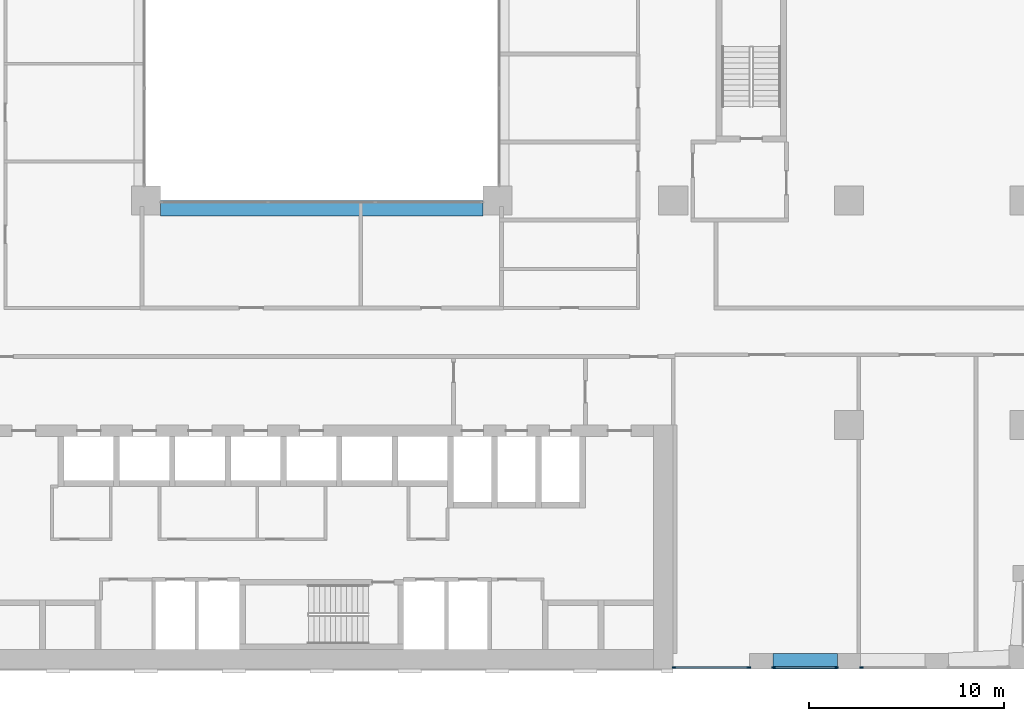
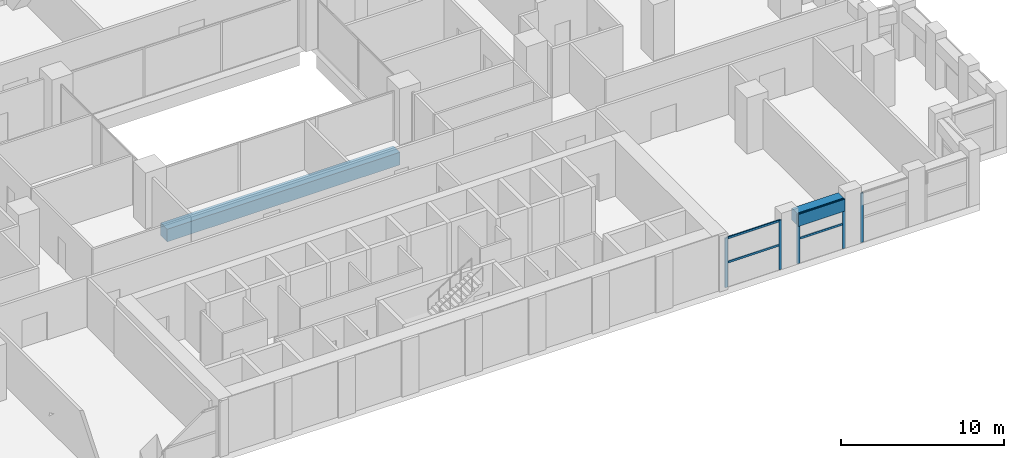
# One storey, part 4 of 20: 9 members, 2 beams, 3 elements without a shape of their own.
"""IFC4 building model written with IfcOpenShell, lengths in metres."""

import ifcopenshell
import ifcopenshell.guid

model = None  # the IFC model being written
_history = None  # IfcOwnerHistory: only IFC2X3 demands one
_inside = {}  # id of a spatial element -> (the spatial element, [elements in it])
_under = {}  # id of a project, library or spatial element -> (it, [spatial elements below it])
_declared = {}  # id of a project -> (the project, [libraries it declares])
_typed = {}  # id of a type object -> (the type object, [elements of that type])
_made_of = {}  # id of a material, layer set ... -> (it, [elements and type objects made of it])


def new_model(schema):
    """Start an empty IFC model of exactly this schema.

    Asked for "IFC4X3", IfcOpenShell would pick the latest addendum, in which some entities
    have other attributes; the version numbers below select the first issue.
    IFC2X3 requires an IfcOwnerHistory on every rooted entity: one is made here for all.
    """
    global model, _history
    if schema == "IFC4X3":
        model = ifcopenshell.file(schema_version=(4, 3, 0, 0))
    else:
        model = ifcopenshell.file(schema=schema)
    _inside.clear()
    _under.clear()
    _declared.clear()
    _typed.clear()
    _made_of.clear()
    _history = None
    if model.schema == "IFC2X3":
        org = make("IfcOrganization", Name="unknown")
        user = make(
            "IfcPersonAndOrganization",
            ThePerson=make("IfcPerson", FamilyName="unknown"),
            TheOrganization=org,
        )
        app = make(
            "IfcApplication",
            ApplicationDeveloper=org,
            Version="unknown",
            ApplicationFullName="unknown",
            ApplicationIdentifier="unknown",
        )
        _history = make(
            "IfcOwnerHistory",
            OwningUser=user,
            OwningApplication=app,
            ChangeAction="ADDED",
            CreationDate=0,
        )
    return model


def make(cls, **values):
    """One entity of the class cls with the attributes given. An attribute that is None is left unset."""
    return model.create_entity(
        cls, **{name: value for name, value in values.items() if value is not None}
    )


def rooted(cls, **values):
    """An entity with a GlobalId (a new one), such as an element, a storey or a relation."""
    return make(cls, GlobalId=ifcopenshell.guid.new(), OwnerHistory=_history, **values)


def si_unit(unit_type, name, prefix=None):
    """IfcSIUnit, for example si_unit("LENGTHUNIT", "METRE", prefix="MILLI")."""
    return make("IfcSIUnit", UnitType=unit_type, Prefix=prefix, Name=name)


def assignment(units):
    """IfcUnitAssignment: the units of a project."""
    return None if units is None else make("IfcUnitAssignment", Units=units)


def point(xyz):
    """IfcCartesianPoint."""
    return None if xyz is None else make("IfcCartesianPoint", Coordinates=xyz)


def direction(xyz):
    """IfcDirection."""
    return None if xyz is None else make("IfcDirection", DirectionRatios=xyz)


def frame(location, z_axis=None, x_axis=None):
    """IfcAxis2Placement3D, a coordinate frame: its origin and axes. An axis left out is left unset."""
    return make(
        "IfcAxis2Placement3D",
        Location=point(location),
        Axis=direction(z_axis),
        RefDirection=direction(x_axis),
    )


def frame_2d(location, x_axis=None):
    """IfcAxis2Placement2D, a coordinate frame in the plane: its origin and x axis."""
    return make(
        "IfcAxis2Placement2D", Location=point(location), RefDirection=direction(x_axis)
    )


def origin():
    """The frame at (0, 0, 0) with its axes left unset."""
    return frame((0.0, 0.0, 0.0))


def origin_2d():
    """The frame at (0, 0) in the plane with its x axis left unset."""
    return frame_2d((0.0, 0.0))


def place(relative_to, where):
    """IfcLocalPlacement: puts the frame where relative to a parent placement (None: the world)."""
    return make(
        "IfcLocalPlacement", PlacementRelTo=relative_to, RelativePlacement=where
    )


def context(
    kind, dimensions, precision=None, world=None, true_north=None, identifier=None
):
    """IfcGeometricRepresentationContext, for example the 3D "Model" context."""
    return make(
        "IfcGeometricRepresentationContext",
        ContextIdentifier=identifier,
        ContextType=kind,
        CoordinateSpaceDimension=dimensions,
        Precision=precision,
        WorldCoordinateSystem=world,
        TrueNorth=true_north,
    )


def subcontext(parent, identifier, kind, view, scale=None):
    """IfcGeometricRepresentationSubContext, for example "Body" below "Model"."""
    return make(
        "IfcGeometricRepresentationSubContext",
        ContextIdentifier=identifier,
        ContextType=kind,
        ParentContext=parent,
        TargetScale=scale,
        TargetView=view,
    )


def project(units=None, contexts=None):
    """IfcProject with its units and contexts."""
    return rooted(
        "IfcProject",
        Name="project",
        RepresentationContexts=contexts,
        UnitsInContext=assignment(units),
    )


def spatial(cls, under=None, at=None, **own):
    """A site, building, storey or space (cls), placed at a placement, below another one or the project."""
    s = rooted(cls, ObjectPlacement=at, **own)
    if under is not None:
        _under.setdefault(under.id(), (under, []))[1].append(s)
    return s


def profile(cls, at=None, kind="AREA", **sizes):
    """A parametric profile (cls). Its sizes go by their IFC names, for example OverallWidth=200.0."""
    return make(cls, ProfileType=kind, Position=at, **sizes)


def rectangle(**sizes):
    """IfcRectangleProfileDef."""
    return profile("IfcRectangleProfileDef", **sizes)


def extrude(swept, where, along, depth):
    """IfcExtrudedAreaSolid: the profile swept, set in the frame where, extruded along a direction by depth."""
    return make(
        "IfcExtrudedAreaSolid",
        SweptArea=swept,
        Position=where,
        ExtrudedDirection=direction(along),
        Depth=depth,
    )


def shape(context_of_items, identifier, shape_type, items):
    """IfcShapeRepresentation: the items that make up one representation, for example the "Body"."""
    return make(
        "IfcShapeRepresentation",
        ContextOfItems=context_of_items,
        RepresentationIdentifier=identifier,
        RepresentationType=shape_type,
        Items=items,
    )


def material(Name=None, Category=None):
    """IfcMaterial."""
    return make("IfcMaterial", Name=Name, Category=Category)


def layer(
    of_material, thickness, ventilated=None, Name=None, Category=None, Priority=None
):
    """IfcMaterialLayer: one layer of a wall or slab, of a material (None: an air gap)."""
    return make(
        "IfcMaterialLayer",
        Material=of_material,
        LayerThickness=thickness,
        IsVentilated=ventilated,
        Name=Name,
        Category=Category,
        Priority=Priority,
    )


def layer_set(layers, Name=None):
    """IfcMaterialLayerSet."""
    return make("IfcMaterialLayerSet", MaterialLayers=layers, LayerSetName=Name)


def material_profile(
    of_material, cross_section, Name=None, Category=None, Priority=None
):
    """IfcMaterialProfile: a cross section and its material."""
    return make(
        "IfcMaterialProfile",
        Name=Name,
        Material=of_material,
        Profile=cross_section,
        Priority=Priority,
        Category=Category,
    )


def profile_set(profiles, Name=None, composite=None):
    """IfcMaterialProfileSet."""
    return make(
        "IfcMaterialProfileSet",
        Name=Name,
        MaterialProfiles=profiles,
        CompositeProfile=composite,
    )


def made_of(thing, what):
    """Note that an element or type object is made of a material, layer set ...; save() writes the relation."""
    if what is not None:
        _made_of.setdefault(what.id(), (what, []))[1].append(thing)
    return thing


def type_object(cls, material=None, **own):
    """A type object (cls), such as IfcWallType, which elements share."""
    return made_of(rooted(cls, **own), material)


def element(
    cls,
    number,
    at=None,
    inside=None,
    cuts=None,
    type_object=None,
    material=None,
    context=None,
    identifier="Body",
    shape_type=None,
    held_by="IfcProductDefinitionShape",
    body=None,
    shapes=None,
    **own,
):
    """One element of the class cls, such as IfcWall. Its Tag is "e" and its number.

    at: its placement. inside: the storey or other place that contains it. cuts: it is an
    opening in that element (IfcRelVoidsElement). A single representation is given by context,
    identifier, shape_type and body (its items); several are given by shapes. held_by: the class
    of the entity that holds the representations. save() writes the other relations.
    """
    e = rooted(cls, Tag="e%d" % number, ObjectPlacement=at, **own)
    if body is not None:
        shapes = [shape(context, identifier, shape_type, body)]
    if shapes is not None:
        e.Representation = make(held_by, Representations=shapes)
    if inside is not None:
        _inside.setdefault(inside.id(), (inside, []))[1].append(e)
    if cuts is not None:
        rooted(
            "IfcRelVoidsElement", RelatingBuildingElement=cuts, RelatedOpeningElement=e
        )
    if type_object is not None:
        _typed.setdefault(type_object.id(), (type_object, []))[1].append(e)
    return made_of(e, material)


def aggregate(whole, parts):
    """IfcRelAggregates: a whole, such as a stair, and the parts it consists of."""
    return rooted("IfcRelAggregates", RelatingObject=whole, RelatedObjects=parts)


def save(model, path):
    """Write the relations noted so far, then the file.

    IfcRelAggregates (storeys below a building ...), IfcRelContainedInSpatialStructure (elements
    in a storey), IfcRelDefinesByType, IfcRelAssociatesMaterial and IfcRelDeclares: one each for
    every whole, place, type object, material and project.
    """
    for whole, parts in _under.values():
        aggregate(whole, parts)
    for where, things in _inside.values():
        rooted(
            "IfcRelContainedInSpatialStructure",
            RelatedElements=things,
            RelatingStructure=where,
        )
    for kind, things in _typed.values():
        rooted("IfcRelDefinesByType", RelatedObjects=things, RelatingType=kind)
    for what, things in _made_of.values():
        rooted("IfcRelAssociatesMaterial", RelatedObjects=things, RelatingMaterial=what)
    for by, libraries in _declared.values():
        rooted("IfcRelDeclares", RelatingContext=by, RelatedDefinitions=libraries)
    model.write(path)


model = new_model("IFC4")

# Units and contexts
model_context = context("Model", 3, precision=1e-05, world=origin(), true_north=direction((0.0, 1.0)))
body_context = subcontext(model_context, "Body", "Model", "MODEL_VIEW")
ifc_project = project(units=[si_unit("LENGTHUNIT", "METRE"), si_unit("AREAUNIT", "SQUARE_METRE"), si_unit("VOLUMEUNIT", "CUBIC_METRE"), si_unit("PLANEANGLEUNIT", "RADIAN"), si_unit("MASSUNIT", "GRAM", prefix="KILO")], contexts=[model_context])

# Site, building, storey
site_placement = place(None, origin())
site = spatial("IfcSite", under=ifc_project, at=site_placement, CompositionType="ELEMENT")
building_placement = place(site_placement, origin())
building = spatial("IfcBuilding", under=site, at=building_placement, Name="Brigalow Station Residences", CompositionType="ELEMENT")
storey_placement = place(building_placement, frame((0.0, 0.0, 73.050048828125)))
storey = spatial("IfcBuildingStorey", under=building, at=storey_placement, Name="L21", CompositionType="ELEMENT", Elevation=73.050048828125)

# Beams
ifc_material_1 = material(Name="Concrete C65", Category="concrete")
ifc_material_profile_1 = material_profile(ifc_material_1, rectangle(XDim=0.800048828125, YDim=0.949951171875, at=origin_2d()), Name="RC800x950")
ifc_profile_set_1 = profile_set([ifc_material_profile_1], Name="Concrete C65")
beam_type_1 = type_object("IfcBeamType", Name="ATRIUM EDGE GIRDER OVER 13.5 M SPAN 800x950 C65", PredefinedType="BEAM", material=ifc_profile_set_1)
beam_1_placement = place(storey_placement, frame((27.75, 23.60009765625, -0.97509765625), z_axis=(1.0, 0.0, 0.0), x_axis=(0.0, 1.0, 0.0)))
element("IfcBeam", 1, at=beam_1_placement, inside=storey, type_object=beam_type_1, Name="ATRIUM EDGE GIRDER C L21", PredefinedType="BEAM", context=body_context, shape_type="SweptSolid", body=[
    extrude(rectangle(XDim=0.800048828125, YDim=0.949951171875, at=origin_2d()), origin(), (0.0, 0.0, 1.0), 16.5),
])
ifc_material_2 = material(Name="Concrete C65", Category="concrete")
ifc_material_profile_2 = material_profile(ifc_material_2, rectangle(XDim=0.800048828125, YDim=0.89990234375, at=origin_2d()), Name="RC800x900")
ifc_profile_set_2 = profile_set([ifc_material_profile_2], Name="Concrete C65")
beam_type_2 = type_object("IfcBeamType", Name="KINK TIE BEAM 800x900 C65", PredefinedType="BEAM", material=ifc_profile_set_2)
beam_2_placement = place(storey_placement, frame((59.10009765625, 0.39990234375, 3.25), z_axis=(1.0, 0.0, 0.0), x_axis=(0.0, 1.0, 0.0)))
element("IfcBeam", 2, at=beam_2_placement, inside=storey, type_object=beam_type_2, Name="KINK TIE BEAM 2 L21", PredefinedType="BEAM", context=body_context, shape_type="SweptSolid", body=[
    extrude(rectangle(XDim=0.800048828125, YDim=0.89990234375, at=origin_2d()), origin(), (0.0, 0.0, 1.0), 3.2998046875),
])

# Curtain wall, members
ifc_material_3 = material(Name="Aluminium", Category="aluminium")
ifc_layer = layer(ifc_material_3, 0.199951171875)
ifc_layer_set = layer_set([ifc_layer], Name="REFUGE FLOOR LOUVRE CURTAIN WALL")
curtain_wall_type = type_object("IfcCurtainWallType", Name="REFUGE FLOOR LOUVRE CURTAIN WALL", PredefinedType="NOTDEFINED", material=ifc_layer_set)
curtain_wall_1_placement = place(storey_placement, origin())
curtain_wall_1 = element("IfcCurtainWall", 3, at=curtain_wall_1_placement, inside=storey, type_object=curtain_wall_type, Name="L21/cw/louvre-W-L21-5-4", PredefinedType="NOTDEFINED")
ifc_material_4 = material(Name="Aluminium", Category="aluminium")
ifc_material_profile_3 = material_profile(ifc_material_4, rectangle(XDim=0.080078125, YDim=0.199951171875, at=origin_2d()), Name="REFUGE FLOOR LOUVRE MULLION 80x200")
ifc_profile_set_3 = profile_set([ifc_material_profile_3], Name="Aluminium")
member_type_1 = type_object("IfcMemberType", Name="REFUGE FLOOR LOUVRE MULLION 80x200", PredefinedType="MULLION", material=ifc_profile_set_3)
member_1_placement = place(storey_placement, frame((54.0400390625, 0.074951171875, 0.0), z_axis=(0.0, 0.0, 1.0), x_axis=(0.0, 1.0, 0.0)))
member_1 = element("IfcMember", 4, at=member_1_placement, type_object=member_type_1, Name="L21/cw/louvre-W-L21-5-4/M00", PredefinedType="MULLION", context=body_context, shape_type="SweptSolid", body=[
    extrude(rectangle(XDim=0.080078125, YDim=0.199951171875, at=origin_2d()), origin(), (0.0, 0.0, 1.0), 3.699951171875),
])
member_2_placement = place(storey_placement, frame((57.860107421875, 0.074951171875, 0.0), z_axis=(0.0, 0.0, 1.0), x_axis=(0.0, 1.0, 0.0)))
member_2 = element("IfcMember", 5, at=member_2_placement, type_object=member_type_1, Name="L21/cw/louvre-W-L21-5-4/M01", PredefinedType="MULLION", context=body_context, shape_type="SweptSolid", body=[
    extrude(rectangle(XDim=0.080078125, YDim=0.199951171875, at=origin_2d()), origin(), (0.0, 0.0, 1.0), 3.699951171875),
])

curtain_wall_2_placement = place(storey_placement, origin())
curtain_wall_2 = element("IfcCurtainWall", 6, at=curtain_wall_2_placement, inside=storey, type_object=curtain_wall_type, Name="L21/cw/louvre-W-L21-5-5", PredefinedType="NOTDEFINED")
member_3_placement = place(storey_placement, frame((59.139892578125, 0.074951171875, 0.0), z_axis=(0.0, 0.0, 1.0), x_axis=(0.0, 1.0, 0.0)))
member_3 = element("IfcMember", 7, at=member_3_placement, type_object=member_type_1, Name="L21/cw/louvre-W-L21-5-5/M00", PredefinedType="MULLION", context=body_context, shape_type="SweptSolid", body=[
    extrude(rectangle(XDim=0.080078125, YDim=0.199951171875, at=origin_2d()), origin(), (0.0, 0.0, 1.0), 3.699951171875),
])
member_4_placement = place(storey_placement, frame((62.360107421875, 0.074951171875, 0.0), z_axis=(0.0, 0.0, 1.0), x_axis=(0.0, 1.0, 0.0)))
member_4 = element("IfcMember", 8, at=member_4_placement, type_object=member_type_1, Name="L21/cw/louvre-W-L21-5-5/M01", PredefinedType="MULLION", context=body_context, shape_type="SweptSolid", body=[
    extrude(rectangle(XDim=0.080078125, YDim=0.199951171875, at=origin_2d()), origin(), (0.0, 0.0, 1.0), 3.699951171875),
])

# Curtain wall, member
curtain_wall_3_placement = place(storey_placement, origin())
curtain_wall_3 = element("IfcCurtainWall", 9, at=curtain_wall_3_placement, inside=storey, type_object=curtain_wall_type, Name="L21/cw/louvre-W-L21-5-6", PredefinedType="NOTDEFINED")
member_5_placement = place(storey_placement, frame((63.639892578125, 0.074951171875, 0.0), z_axis=(0.0, 0.0, 1.0), x_axis=(0.0, 1.0, 0.0)))
member_5 = element("IfcMember", 10, at=member_5_placement, type_object=member_type_1, Name="L21/cw/louvre-W-L21-5-6/M00", PredefinedType="MULLION", context=body_context, shape_type="SweptSolid", body=[
    extrude(rectangle(XDim=0.080078125, YDim=0.199951171875, at=origin_2d()), origin(), (0.0, 0.0, 1.0), 3.699951171875),
])
aggregate(curtain_wall_3, [member_5])

# Member
ifc_material_5 = material(Name="Aluminium", Category="aluminium")
ifc_material_profile_4 = material_profile(ifc_material_5, rectangle(XDim=0.080078125, YDim=0.14990234375, at=origin_2d()), Name="REFUGE FLOOR LOUVRE TRANSOM 80x150")
ifc_profile_set_4 = profile_set([ifc_material_profile_4], Name="Aluminium")
member_type_2 = type_object("IfcMemberType", Name="REFUGE FLOOR LOUVRE TRANSOM 80x150", PredefinedType="USERDEFINED", material=ifc_profile_set_4)
member_6_placement = place(storey_placement, frame((54.080078125, 0.074951171875, 1.849853515625), z_axis=(1.0, 0.0, 0.0), x_axis=(0.0, 1.0, 0.0)))
member_6 = element("IfcMember", 11, at=member_6_placement, type_object=member_type_2, Name="L21/cw/louvre-W-L21-5-4/T00-00", ObjectType="TRANSOM", PredefinedType="USERDEFINED", context=body_context, shape_type="SweptSolid", body=[
    extrude(rectangle(XDim=0.080078125, YDim=0.14990234375, at=origin_2d()), origin(), (0.0, 0.0, 1.0), 3.739990234375),
])

member_7_placement = place(storey_placement, frame((54.080078125, 0.074951171875, 3.659912109375), z_axis=(1.0, 0.0, 0.0), x_axis=(0.0, 1.0, 0.0)))
member_7 = element("IfcMember", 12, at=member_7_placement, type_object=member_type_2, Name="L21/cw/louvre-W-L21-5-4/T00-01", ObjectType="TRANSOM", PredefinedType="USERDEFINED", context=body_context, shape_type="SweptSolid", body=[
    extrude(rectangle(XDim=0.080078125, YDim=0.14990234375, at=origin_2d()), origin(), (0.0, 0.0, 1.0), 3.739990234375),
])

aggregate(curtain_wall_1, [member_1, member_2, member_6, member_7])

member_8_placement = place(storey_placement, frame((59.179931640625, 0.074951171875, 1.849853515625), z_axis=(1.0, 0.0, 0.0), x_axis=(0.0, 1.0, 0.0)))
member_8 = element("IfcMember", 13, at=member_8_placement, type_object=member_type_2, Name="L21/cw/louvre-W-L21-5-5/T00-00", ObjectType="TRANSOM", PredefinedType="USERDEFINED", context=body_context, shape_type="SweptSolid", body=[
    extrude(rectangle(XDim=0.080078125, YDim=0.14990234375, at=origin_2d()), origin(), (0.0, 0.0, 1.0), 3.14013671875),
])

member_9_placement = place(storey_placement, frame((59.179931640625, 0.074951171875, 3.659912109375), z_axis=(1.0, 0.0, 0.0), x_axis=(0.0, 1.0, 0.0)))
member_9 = element("IfcMember", 14, at=member_9_placement, type_object=member_type_2, Name="L21/cw/louvre-W-L21-5-5/T00-01", ObjectType="TRANSOM", PredefinedType="USERDEFINED", context=body_context, shape_type="SweptSolid", body=[
    extrude(rectangle(XDim=0.080078125, YDim=0.14990234375, at=origin_2d()), origin(), (0.0, 0.0, 1.0), 3.14013671875),
])

aggregate(curtain_wall_2, [member_3, member_4, member_8, member_9])

save(model, "model.ifc")
